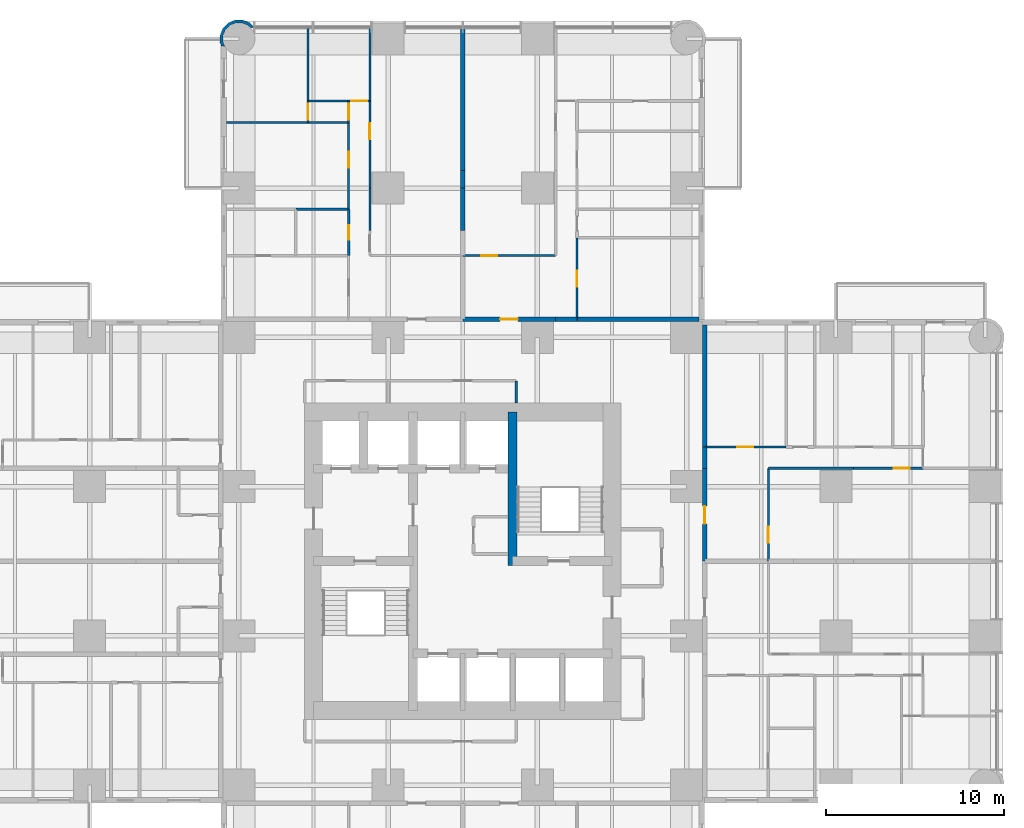
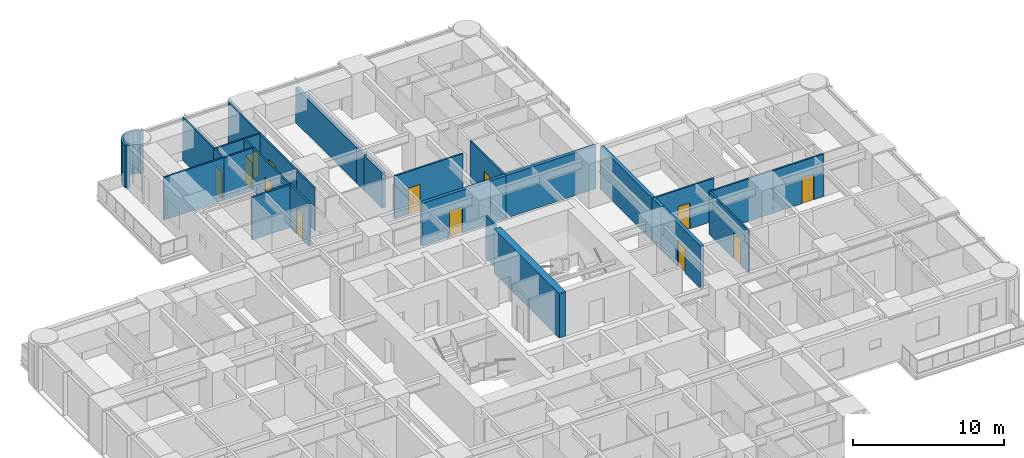
# One storey, part 13 of 17: 31 walls, 13 doors, 13 openings.
"""IFC4 building model written with IfcOpenShell, lengths in metres."""

from ifc_helpers import new_model, si_unit, direction, frame, frame_2d, origin, place, context, subcontext, project, spatial, polyline, rectangle, outline, extrude, material, layer, layer_set, type_object, element, fill, save


model = new_model("IFC4")

# Units and contexts
model_context = context("Model", 3, precision=1e-05, world=origin(), true_north=direction((0.0, 1.0)))
body_context = subcontext(model_context, "Body", "Model", "MODEL_VIEW")
ifc_project = project(units=[si_unit("LENGTHUNIT", "METRE"), si_unit("AREAUNIT", "SQUARE_METRE"), si_unit("VOLUMEUNIT", "CUBIC_METRE"), si_unit("PLANEANGLEUNIT", "RADIAN"), si_unit("MASSUNIT", "GRAM", prefix="KILO")], contexts=[model_context])

# Site, building, storey
site_placement = place(None, origin())
site = spatial("IfcSite", under=ifc_project, at=site_placement, CompositionType="ELEMENT")
building_placement = place(site_placement, origin())
building = spatial("IfcBuilding", under=site, at=building_placement, Name="Torre Alcanfor", CompositionType="ELEMENT")
storey_placement = place(building_placement, frame((0.0, 0.0, 77.699951171875)))
storey = spatial("IfcBuildingStorey", under=building, at=storey_placement, Name="L19", CompositionType="ELEMENT", Elevation=77.699951171875)

# Wall, opening, door
ifc_material_1 = material(Name="Concrete block masonry, hollow blocks NMX-C-404 9 MPa", Category="masonry")
ifc_layer_1 = layer(ifc_material_1, 0.25)
ifc_layer_set_1 = layer_set([ifc_layer_1], Name="Apartment entrance wall 250 EI 60")
wall_type_1 = type_object("IfcWallType", Name="Apartment entrance wall 250 EI 60", PredefinedType="PARTITIONING", material=ifc_layer_set_1)
wall_1_placement = place(storey_placement, frame((29.39990234375, 43.02490234375, 0.0), z_axis=(0.0, 0.0, 1.0), x_axis=(1.0, 0.0, 0.0)))
wall_1 = element("IfcWall", 1, at=wall_1_placement, inside=storey, type_object=wall_type_1, Name="Partition L19-CORR / L19-N2-ZAG", PredefinedType="PARTITIONING", context=body_context, shape_type="SweptSolid", body=[
    extrude(rectangle(XDim=5.22900390625, YDim=0.25, at=frame_2d((2.614501953125, 0.0))), origin(), (0.0, 0.0, 1.0), 3.449951171875),
])
opening_1_placement = place(wall_1_placement, frame((2.10009765625, 0.0, 0.0)))
opening_1 = element("IfcOpeningElement", 2, at=opening_1_placement, cuts=wall_1, Name="Opening D-A1", PredefinedType="OPENING", context=body_context, shape_type="SweptSolid", body=[
    extrude(rectangle(XDim=1.0, YDim=2.10009765625, at=frame_2d((0.5, 1.050048828125))), frame((0.0, 0.135009765625, 0.0), z_axis=(0.0, -1.0, 0.0), x_axis=(1.0, 0.0, 0.0)), (0.0, 0.0, 1.0), 0.27001953125),
])
ifc_material_2 = material(Name="Galvanised steel sheet ASTM A653", Category="steel")
door_type_1 = type_object("IfcDoorType", Name="Apartment entrance door FD60 1000x2100", OperationType="SINGLE_SWING_LEFT", PredefinedType="DOOR", material=ifc_material_2)
door_1_placement = place(opening_1_placement, origin())
door_1 = element("IfcDoor", 3, at=door_1_placement, inside=storey, type_object=door_type_1, Name="Apartment entrance L19-N2", OperationType="SINGLE_SWING_LEFT", OverallHeight=2.10009765625, OverallWidth=1.0, PredefinedType="DOOR", context=body_context, shape_type="SweptSolid", body=[
    extrude(rectangle(XDim=1.0, YDim=2.10009765625, at=frame_2d((0.5, 1.050048828125))), frame((0.0, 0.02490234375, 0.0), z_axis=(0.0, -1.0, 0.0), x_axis=(1.0, 0.0, 0.0)), (0.0, 0.0, 1.0), 0.050048828125),
])
fill(opening_1, door_1)

# Walls
wall_2_placement = place(storey_placement, frame((34.62890625, 43.02490234375, 0.0), z_axis=(0.0, 0.0, 1.0), x_axis=(1.0, 0.0, 0.0)))
element("IfcWall", 4, at=wall_2_placement, inside=storey, type_object=wall_type_1, Name="Partition L19-CORR / L19-N2-HALL", PredefinedType="PARTITIONING", context=body_context, shape_type="SweptSolid", body=[
    extrude(rectangle(XDim=1.2001953125, YDim=0.25, at=frame_2d((0.60009765625, 0.0))), origin(), (0.0, 0.0, 1.0), 3.449951171875),
])
wall_3_placement = place(storey_placement, frame((35.8291015625, 43.02490234375, 0.0), z_axis=(0.0, 0.0, 1.0), x_axis=(1.0, 0.0, 0.0)))
element("IfcWall", 5, at=wall_3_placement, inside=storey, type_object=wall_type_1, Name="Partition L19-CORR / L19-N2-BED3", PredefinedType="PARTITIONING", context=body_context, shape_type="SweptSolid", body=[
    extrude(rectangle(XDim=6.870849609375, YDim=0.25, at=frame_2d((3.435546875, 0.0))), origin(), (0.0, 0.0, 1.0), 3.449951171875),
])

# Wall, opening, door
wall_4_placement = place(storey_placement, frame((43.02490234375, 34.62890625, 0.0), z_axis=(0.0, 0.0, 1.0), x_axis=(0.0, -1.0, 0.0)))
wall_4 = element("IfcWall", 6, at=wall_4_placement, inside=storey, type_object=wall_type_1, Name="Partition L19-CORR / L19-E1-ZAG", PredefinedType="PARTITIONING", context=body_context, shape_type="SweptSolid", body=[
    extrude(rectangle(XDim=5.22900390625, YDim=0.25, at=frame_2d((2.614501953125, 0.0))), origin(), (0.0, 0.0, 1.0), 3.449951171875),
])
opening_2_placement = place(wall_4_placement, frame((2.12890625, 0.0, 0.0)))
opening_2 = element("IfcOpeningElement", 7, at=opening_2_placement, cuts=wall_4, Name="Opening D-A1", PredefinedType="OPENING", context=body_context, shape_type="SweptSolid", body=[
    extrude(rectangle(XDim=1.0, YDim=2.10009765625, at=frame_2d((0.5, 1.050048828125))), frame((0.0, 0.135009765625, 0.0), z_axis=(0.0, -1.0, 0.0), x_axis=(1.0, 0.0, 0.0)), (0.0, 0.0, 1.0), 0.27001953125),
])
door_2_placement = place(opening_2_placement, origin())
door_2 = element("IfcDoor", 8, at=door_2_placement, inside=storey, type_object=door_type_1, Name="Apartment entrance L19-E1", OperationType="SINGLE_SWING_RIGHT", OverallHeight=2.10009765625, OverallWidth=1.0, PredefinedType="DOOR", context=body_context, shape_type="SweptSolid", body=[
    extrude(rectangle(XDim=1.0, YDim=2.10009765625, at=frame_2d((0.5, 1.050048828125))), frame((0.0, 0.02490234375, 0.0), z_axis=(0.0, -1.0, 0.0), x_axis=(1.0, 0.0, 0.0)), (0.0, 0.0, 1.0), 0.050048828125),
])
fill(opening_2, door_2)

# Walls
wall_5_placement = place(storey_placement, frame((43.02490234375, 35.8291015625, 0.0), z_axis=(0.0, 0.0, 1.0), x_axis=(0.0, -1.0, 0.0)))
element("IfcWall", 9, at=wall_5_placement, inside=storey, type_object=wall_type_1, Name="Partition L19-CORR / L19-E1-HALL", PredefinedType="PARTITIONING", context=body_context, shape_type="SweptSolid", body=[
    extrude(rectangle(XDim=1.2001953125, YDim=0.25, at=frame_2d((0.60009765625, 0.0))), origin(), (0.0, 0.0, 1.0), 3.449951171875),
])
wall_6_placement = place(storey_placement, frame((43.02490234375, 42.699951171875, 0.0), z_axis=(0.0, 0.0, 1.0), x_axis=(0.0, -1.0, 0.0)))
element("IfcWall", 10, at=wall_6_placement, inside=storey, type_object=wall_type_1, Name="Partition L19-CORR / L19-E1-BED3", PredefinedType="PARTITIONING", context=body_context, shape_type="SweptSolid", body=[
    extrude(rectangle(XDim=6.870849609375, YDim=0.25, at=frame_2d((3.435546875, 0.0))), origin(), (0.0, 0.0, 1.0), 3.449951171875),
])
ifc_material_3 = material(Name="Gypsum board on steel studs", Category="steel")
ifc_layer_2 = layer(ifc_material_3, 0.1201171875)
ifc_layer_set_2 = layer_set([ifc_layer_2], Name="Apartment partition 120")
wall_type_2 = type_object("IfcWallType", Name="Apartment partition 120", PredefinedType="PARTITIONING", material=ifc_layer_set_2)
wall_7_placement = place(storey_placement, frame((24.1708984375, 50.39990234375, 0.0), z_axis=(0.0, 0.0, 1.0), x_axis=(0.0, -1.0, 0.0)))
element("IfcWall", 11, at=wall_7_placement, inside=storey, type_object=wall_type_2, Name="Partition L19-N1-KITCHEN / L19-N1-HALL", PredefinedType="PARTITIONING", context=body_context, shape_type="SweptSolid", body=[
    extrude(rectangle(XDim=2.39990234375, YDim=0.1201171875, at=frame_2d((1.199951171875, 0.0))), origin(), (0.0, 0.0, 1.0), 3.449951171875),
])

# Wall, opening, door
wall_8_placement = place(storey_placement, frame((24.1708984375, 55.300048828125, 0.0), z_axis=(0.0, 0.0, 1.0), x_axis=(0.0, -1.0, 0.0)))
wall_8 = element("IfcWall", 12, at=wall_8_placement, inside=storey, type_object=wall_type_2, Name="Partition L19-N1-LIVING / L19-N1-HALL", PredefinedType="PARTITIONING", context=body_context, shape_type="SweptSolid", body=[
    extrude(rectangle(XDim=4.900146484375, YDim=0.1201171875, at=frame_2d((2.4501953125, 0.0))), origin(), (0.0, 0.0, 1.0), 3.449951171875),
])
opening_3_placement = place(wall_8_placement, frame((1.25, 0.0, 0.0)))
opening_3 = element("IfcOpeningElement", 13, at=opening_3_placement, cuts=wall_8, Name="Opening D-R1", PredefinedType="OPENING", context=body_context, shape_type="SweptSolid", body=[
    extrude(rectangle(XDim=0.89990234375, YDim=2.10009765625, at=frame_2d((0.449951171875, 1.050048828125))), frame((0.0, 0.070068359375, 0.0), z_axis=(0.0, -1.0, 0.0), x_axis=(1.0, 0.0, 0.0)), (0.0, 0.0, 1.0), 0.14013671875),
])
ifc_material_4 = material(Name="Timber", Category="wood")
door_type_2 = type_object("IfcDoorType", Name="Internal door 900x2100", OperationType="SINGLE_SWING_LEFT", PredefinedType="DOOR", material=ifc_material_4)
door_3_placement = place(opening_3_placement, origin())
door_3 = element("IfcDoor", 14, at=door_3_placement, inside=storey, type_object=door_type_2, Name="Door L19-N1 living", OperationType="SINGLE_SWING_RIGHT", OverallHeight=2.10009765625, OverallWidth=0.89990234375, PredefinedType="DOOR", context=body_context, shape_type="SweptSolid", body=[
    extrude(rectangle(XDim=0.89990234375, YDim=2.10009765625, at=frame_2d((0.449951171875, 1.050048828125))), frame((0.0, 0.02490234375, 0.0), z_axis=(0.0, -1.0, 0.0), x_axis=(1.0, 0.0, 0.0)), (0.0, 0.0, 1.0), 0.050048828125),
])
fill(opening_3, door_3)

# Wall
wall_9_placement = place(storey_placement, frame((24.1708984375, 59.449951171875, 0.0), z_axis=(0.0, 0.0, 1.0), x_axis=(0.0, -1.0, 0.0)))
element("IfcWall", 15, at=wall_9_placement, inside=storey, type_object=wall_type_2, Name="Partition L19-N1-LIVING / L19-N1-BED2", PredefinedType="PARTITIONING", context=body_context, shape_type="SweptSolid", body=[
    extrude(rectangle(XDim=4.14990234375, YDim=0.1201171875, at=frame_2d((2.074951171875, 0.0))), origin(), (0.0, 0.0, 1.0), 3.449951171875),
])

# Wall, opening, door
wall_10_placement = place(storey_placement, frame((22.970947265625, 54.10009765625, 0.0), z_axis=(0.0, 0.0, 1.0), x_axis=(0.0, -1.0, 0.0)))
wall_10 = element("IfcWall", 16, at=wall_10_placement, inside=storey, type_object=wall_type_2, Name="Partition L19-N1-HALL / L19-N1-BED3", PredefinedType="PARTITIONING", context=body_context, shape_type="SweptSolid", body=[
    extrude(rectangle(XDim=4.900146484375, YDim=0.1201171875, at=frame_2d((2.4501953125, 0.0))), origin(), (0.0, 0.0, 1.0), 3.449951171875),
])
opening_4_placement = place(wall_10_placement, frame((1.64990234375, 0.0, 0.0)))
opening_4 = element("IfcOpeningElement", 17, at=opening_4_placement, cuts=wall_10, Name="Opening D-R1", PredefinedType="OPENING", context=body_context, shape_type="SweptSolid", body=[
    extrude(rectangle(XDim=0.89990234375, YDim=2.10009765625, at=frame_2d((0.449951171875, 1.050048828125))), frame((0.0, 0.070068359375, 0.0), z_axis=(0.0, -1.0, 0.0), x_axis=(1.0, 0.0, 0.0)), (0.0, 0.0, 1.0), 0.14013671875),
])
door_4_placement = place(opening_4_placement, frame((0.89990234375, 0.0, 0.0), z_axis=(0.0, 0.0, 1.0), x_axis=(-1.0, 0.0, 0.0)))
door_4 = element("IfcDoor", 18, at=door_4_placement, inside=storey, type_object=door_type_2, Name="Door L19-N1 bed3", OperationType="SINGLE_SWING_RIGHT", OverallHeight=2.10009765625, OverallWidth=0.89990234375, PredefinedType="DOOR", context=body_context, shape_type="SweptSolid", body=[
    extrude(rectangle(XDim=0.89990234375, YDim=2.10009765625, at=frame_2d((0.449951171875, 1.050048828125))), frame((0.0, 0.025146484375, 0.0), z_axis=(0.0, -1.0, 0.0), x_axis=(1.0, 0.0, 0.0)), (0.0, 0.0, 1.0), 0.050048828125),
])
fill(opening_4, door_4)

wall_11_placement = place(storey_placement, frame((22.970947265625, 55.300048828125, 0.0), z_axis=(0.0, 0.0, 1.0), x_axis=(0.0, -1.0, 0.0)))
wall_11 = element("IfcWall", 19, at=wall_11_placement, inside=storey, type_object=wall_type_2, Name="Partition L19-N1-HALL / L19-N1-VEST", PredefinedType="PARTITIONING", context=body_context, shape_type="SweptSolid", body=[
    extrude(rectangle(XDim=1.199951171875, YDim=0.1201171875, at=frame_2d((0.60009765625, 0.0))), origin(), (0.0, 0.0, 1.0), 3.449951171875),
])
opening_5_placement = place(wall_11_placement, frame((0.14990234375, 0.0, 0.0)))
opening_5 = element("IfcOpeningElement", 20, at=opening_5_placement, cuts=wall_11, Name="Opening D-R1", PredefinedType="OPENING", context=body_context, shape_type="SweptSolid", body=[
    extrude(rectangle(XDim=0.89990234375, YDim=2.10009765625, at=frame_2d((0.449951171875, 1.050048828125))), frame((0.0, 0.070068359375, 0.0), z_axis=(0.0, -1.0, 0.0), x_axis=(1.0, 0.0, 0.0)), (0.0, 0.0, 1.0), 0.14013671875),
])
door_5_placement = place(opening_5_placement, frame((0.89990234375, 0.0, 0.0), z_axis=(0.0, 0.0, 1.0), x_axis=(-1.0, 0.0, 0.0)))
door_5 = element("IfcDoor", 21, at=door_5_placement, inside=storey, type_object=door_type_2, Name="Door L19-N1 vest", OperationType="SINGLE_SWING_RIGHT", OverallHeight=2.10009765625, OverallWidth=0.89990234375, PredefinedType="DOOR", context=body_context, shape_type="SweptSolid", body=[
    extrude(rectangle(XDim=0.89990234375, YDim=2.10009765625, at=frame_2d((0.449951171875, 1.050048828125))), frame((0.0, 0.025146484375, 0.0), z_axis=(0.0, -1.0, 0.0), x_axis=(1.0, 0.0, 0.0)), (0.0, 0.0, 1.0), 0.050048828125),
])
fill(opening_5, door_5)

wall_12_placement = place(storey_placement, frame((24.1708984375, 55.300048828125, 0.0), z_axis=(0.0, 0.0, 1.0), x_axis=(-1.0, 0.0, 0.0)))
wall_12 = element("IfcWall", 22, at=wall_12_placement, inside=storey, type_object=wall_type_2, Name="Partition L19-N1-HALL / L19-N1-BED2", PredefinedType="PARTITIONING", context=body_context, shape_type="SweptSolid", body=[
    extrude(rectangle(XDim=1.199951171875, YDim=0.1201171875, at=frame_2d((0.60009765625, 0.0))), origin(), (0.0, 0.0, 1.0), 3.449951171875),
])
opening_6_placement = place(wall_12_placement, frame((0.15087890625, 0.0, 0.0)))
opening_6 = element("IfcOpeningElement", 23, at=opening_6_placement, cuts=wall_12, Name="Opening D-R1", PredefinedType="OPENING", context=body_context, shape_type="SweptSolid", body=[
    extrude(rectangle(XDim=0.89990234375, YDim=2.10009765625, at=frame_2d((0.449951171875, 1.050048828125))), frame((0.0, 0.070068359375, 0.0), z_axis=(0.0, -1.0, 0.0), x_axis=(1.0, 0.0, 0.0)), (0.0, 0.0, 1.0), 0.14013671875),
])
door_6_placement = place(opening_6_placement, frame((0.89990234375, 0.0, 0.0), z_axis=(0.0, 0.0, 1.0), x_axis=(-1.0, 0.0, 0.0)))
door_6 = element("IfcDoor", 24, at=door_6_placement, inside=storey, type_object=door_type_2, Name="Door L19-N1 bed2", OperationType="SINGLE_SWING_RIGHT", OverallHeight=2.10009765625, OverallWidth=0.89990234375, PredefinedType="DOOR", context=body_context, shape_type="SweptSolid", body=[
    extrude(rectangle(XDim=0.89990234375, YDim=2.10009765625, at=frame_2d((0.449951171875, 1.050048828125))), frame((0.0, 0.025146484375, 0.0), z_axis=(0.0, -1.0, 0.0), x_axis=(1.0, 0.0, 0.0)), (0.0, 0.0, 1.0), 0.050048828125),
])
fill(opening_6, door_6)

# Walls
wall_13_placement = place(storey_placement, frame((22.970947265625, 54.10009765625, 0.0), z_axis=(0.0, 0.0, 1.0), x_axis=(-1.0, 0.0, 0.0)))
element("IfcWall", 25, at=wall_13_placement, inside=storey, type_object=wall_type_2, Name="Partition L19-N1-BED3 / L19-N1-VEST", PredefinedType="PARTITIONING", context=body_context, shape_type="SweptSolid", body=[
    extrude(rectangle(XDim=2.284912109375, YDim=0.1201171875, at=frame_2d((1.142578125, 0.0))), origin(), (0.0, 0.0, 1.0), 3.449951171875),
])
wall_14_placement = place(storey_placement, frame((20.68603515625, 54.10009765625, 0.0), z_axis=(0.0, 0.0, 1.0), x_axis=(-1.0, 0.0, 0.0)))
element("IfcWall", 26, at=wall_14_placement, inside=storey, type_object=wall_type_2, Name="Partition L19-N1-BED3 / L19-N1-MASTER", PredefinedType="PARTITIONING", context=body_context, shape_type="SweptSolid", body=[
    extrude(rectangle(XDim=4.5859375, YDim=0.1201171875, at=frame_2d((2.29296875, 0.0))), origin(), (0.0, 0.0, 1.0), 3.449951171875),
])
wall_15_placement = place(storey_placement, frame((22.970947265625, 55.300048828125, 0.0), z_axis=(0.0, 0.0, 1.0), x_axis=(-1.0, 0.0, 0.0)))
element("IfcWall", 27, at=wall_15_placement, inside=storey, type_object=wall_type_2, Name="Partition L19-N1-VEST / L19-N1-BED2", PredefinedType="PARTITIONING", context=body_context, shape_type="SweptSolid", body=[
    extrude(rectangle(XDim=2.284912109375, YDim=0.1201171875, at=frame_2d((1.142578125, 0.0))), origin(), (0.0, 0.0, 1.0), 3.449951171875),
])

# Wall, opening, door
wall_16_placement = place(storey_placement, frame((20.68603515625, 55.300048828125, 0.0), z_axis=(0.0, 0.0, 1.0), x_axis=(0.0, -1.0, 0.0)))
wall_16 = element("IfcWall", 28, at=wall_16_placement, inside=storey, type_object=wall_type_2, Name="Partition L19-N1-VEST / L19-N1-MASTER", PredefinedType="PARTITIONING", context=body_context, shape_type="SweptSolid", body=[
    extrude(rectangle(XDim=1.199951171875, YDim=0.1201171875, at=frame_2d((0.60009765625, 0.0))), origin(), (0.0, 0.0, 1.0), 3.449951171875),
])
opening_7_placement = place(wall_16_placement, frame((0.14990234375, 0.0, 0.0)))
opening_7 = element("IfcOpeningElement", 29, at=opening_7_placement, cuts=wall_16, Name="Opening D-R1", PredefinedType="OPENING", context=body_context, shape_type="SweptSolid", body=[
    extrude(rectangle(XDim=0.89990234375, YDim=2.10009765625, at=frame_2d((0.449951171875, 1.050048828125))), frame((0.0, 0.070068359375, 0.0), z_axis=(0.0, -1.0, 0.0), x_axis=(1.0, 0.0, 0.0)), (0.0, 0.0, 1.0), 0.14013671875),
])
door_7_placement = place(opening_7_placement, origin())
door_7 = element("IfcDoor", 30, at=door_7_placement, inside=storey, type_object=door_type_2, Name="Door L19-N1 master", OperationType="SINGLE_SWING_LEFT", OverallHeight=2.10009765625, OverallWidth=0.89990234375, PredefinedType="DOOR", context=body_context, shape_type="SweptSolid", body=[
    extrude(rectangle(XDim=0.89990234375, YDim=2.10009765625, at=frame_2d((0.449951171875, 1.050048828125))), frame((0.0, 0.02490234375, 0.0), z_axis=(0.0, -1.0, 0.0), x_axis=(1.0, 0.0, 0.0)), (0.0, 0.0, 1.0), 0.050048828125),
])
fill(opening_7, door_7)

# Wall
wall_17_placement = place(storey_placement, frame((20.68603515625, 59.449951171875, 0.0), z_axis=(0.0, 0.0, 1.0), x_axis=(0.0, -1.0, 0.0)))
element("IfcWall", 31, at=wall_17_placement, inside=storey, type_object=wall_type_2, Name="Partition L19-N1-BED2 / L19-N1-MASTER", PredefinedType="PARTITIONING", context=body_context, shape_type="SweptSolid", body=[
    extrude(rectangle(XDim=4.14990234375, YDim=0.1201171875, at=frame_2d((2.074951171875, 0.0))), origin(), (0.0, 0.0, 1.0), 3.449951171875),
])

# Wall, opening, door
wall_18_placement = place(storey_placement, frame((29.39990234375, 46.60009765625, 0.0), z_axis=(0.0, 0.0, 1.0), x_axis=(1.0, 0.0, 0.0)))
wall_18 = element("IfcWall", 32, at=wall_18_placement, inside=storey, type_object=wall_type_2, Name="Partition L19-N2-ZAG / L19-N2-KITCHEN", PredefinedType="PARTITIONING", context=body_context, shape_type="SweptSolid", body=[
    extrude(rectangle(XDim=5.22900390625, YDim=0.1201171875, at=frame_2d((2.614501953125, 0.0))), origin(), (0.0, 0.0, 1.0), 3.449951171875),
])
opening_8_placement = place(wall_18_placement, frame((1.050048828125, 0.0, 0.0)))
opening_8 = element("IfcOpeningElement", 33, at=opening_8_placement, cuts=wall_18, Name="Opening D-R1", PredefinedType="OPENING", context=body_context, shape_type="SweptSolid", body=[
    extrude(rectangle(XDim=0.89990234375, YDim=2.10009765625, at=frame_2d((0.449951171875, 1.050048828125))), frame((0.0, 0.070068359375, 0.0), z_axis=(0.0, -1.0, 0.0), x_axis=(1.0, 0.0, 0.0)), (0.0, 0.0, 1.0), 0.14013671875),
])
door_8_placement = place(opening_8_placement, origin())
door_8 = element("IfcDoor", 34, at=door_8_placement, inside=storey, type_object=door_type_2, Name="Door L19-N2 kitchen", OperationType="SINGLE_SWING_LEFT", OverallHeight=2.10009765625, OverallWidth=0.89990234375, PredefinedType="DOOR", context=body_context, shape_type="SweptSolid", body=[
    extrude(rectangle(XDim=0.89990234375, YDim=2.10009765625, at=frame_2d((0.449951171875, 1.050048828125))), frame((0.0, 0.02490234375, 0.0), z_axis=(0.0, -1.0, 0.0), x_axis=(1.0, 0.0, 0.0)), (0.0, 0.0, 1.0), 0.050048828125),
])
fill(opening_8, door_8)

wall_19_placement = place(storey_placement, frame((35.8291015625, 47.60009765625, 0.0), z_axis=(0.0, 0.0, 1.0), x_axis=(0.0, -1.0, 0.0)))
wall_19 = element("IfcWall", 35, at=wall_19_placement, inside=storey, type_object=wall_type_2, Name="Partition L19-N2-HALL / L19-N2-BED3", PredefinedType="PARTITIONING", context=body_context, shape_type="SweptSolid", body=[
    extrude(rectangle(XDim=4.5751953125, YDim=0.1201171875, at=frame_2d((2.28759765625, 0.0))), origin(), (0.0, 0.0, 1.0), 3.449951171875),
])
opening_9_placement = place(wall_19_placement, frame((1.85009765625, 0.0, 0.0)))
opening_9 = element("IfcOpeningElement", 36, at=opening_9_placement, cuts=wall_19, Name="Opening D-R1", PredefinedType="OPENING", context=body_context, shape_type="SweptSolid", body=[
    extrude(rectangle(XDim=0.89990234375, YDim=2.10009765625, at=frame_2d((0.449951171875, 1.050048828125))), frame((0.0, 0.070068359375, 0.0), z_axis=(0.0, -1.0, 0.0), x_axis=(1.0, 0.0, 0.0)), (0.0, 0.0, 1.0), 0.14013671875),
])
door_9_placement = place(opening_9_placement, origin())
door_9 = element("IfcDoor", 37, at=door_9_placement, inside=storey, type_object=door_type_2, Name="Door L19-N2 bed3", OperationType="SINGLE_SWING_RIGHT", OverallHeight=2.10009765625, OverallWidth=0.89990234375, PredefinedType="DOOR", context=body_context, shape_type="SweptSolid", body=[
    extrude(rectangle(XDim=0.89990234375, YDim=2.10009765625, at=frame_2d((0.449951171875, 1.050048828125))), frame((0.0, 0.02490234375, 0.0), z_axis=(0.0, -1.0, 0.0), x_axis=(1.0, 0.0, 0.0)), (0.0, 0.0, 1.0), 0.050048828125),
])
fill(opening_9, door_9)

wall_20_placement = place(storey_placement, frame((46.60009765625, 29.39990234375, 0.0), z_axis=(0.0, 0.0, 1.0), x_axis=(0.0, 1.0, 0.0)))
wall_20 = element("IfcWall", 38, at=wall_20_placement, inside=storey, type_object=wall_type_2, Name="Partition L19-E1-ZAG / L19-E1-KITCHEN", PredefinedType="PARTITIONING", context=body_context, shape_type="SweptSolid", body=[
    extrude(rectangle(XDim=5.22900390625, YDim=0.1201171875, at=frame_2d((2.614501953125, 0.0))), origin(), (0.0, 0.0, 1.0), 3.449951171875),
])
opening_10_placement = place(wall_20_placement, frame((1.050048828125, 0.0, 0.0)))
opening_10 = element("IfcOpeningElement", 39, at=opening_10_placement, cuts=wall_20, Name="Opening D-R1", PredefinedType="OPENING", context=body_context, shape_type="SweptSolid", body=[
    extrude(rectangle(XDim=0.89990234375, YDim=2.10009765625, at=frame_2d((0.449951171875, 1.050048828125))), frame((0.0, 0.070068359375, 0.0), z_axis=(0.0, -1.0, 0.0), x_axis=(1.0, 0.0, 0.0)), (0.0, 0.0, 1.0), 0.14013671875),
])
door_10_placement = place(opening_10_placement, frame((0.89990234375, 0.0, 0.0), z_axis=(0.0, 0.0, 1.0), x_axis=(-1.0, 0.0, 0.0)))
door_10 = element("IfcDoor", 40, at=door_10_placement, inside=storey, type_object=door_type_2, Name="Door L19-E1 kitchen", OperationType="SINGLE_SWING_RIGHT", OverallHeight=2.10009765625, OverallWidth=0.89990234375, PredefinedType="DOOR", context=body_context, shape_type="SweptSolid", body=[
    extrude(rectangle(XDim=0.89990234375, YDim=2.10009765625, at=frame_2d((0.449951171875, 1.050048828125))), frame((0.0, 0.025146484375, 0.0), z_axis=(0.0, -1.0, 0.0), x_axis=(1.0, 0.0, 0.0)), (0.0, 0.0, 1.0), 0.050048828125),
])
fill(opening_10, door_10)

# Wall
wall_21_placement = place(storey_placement, frame((51.39990234375, 34.62890625, 0.0), z_axis=(0.0, 0.0, 1.0), x_axis=(-1.0, 0.0, 0.0)))
element("IfcWall", 41, at=wall_21_placement, inside=storey, type_object=wall_type_2, Name="Partition L19-E1-KITCHEN / L19-E1-HALL", PredefinedType="PARTITIONING", context=body_context, shape_type="SweptSolid", body=[
    extrude(rectangle(XDim=4.7998046875, YDim=0.1201171875, at=frame_2d((2.39990234375, 0.0))), origin(), (0.0, 0.0, 1.0), 3.449951171875),
])

# Wall, opening, door
wall_22_placement = place(storey_placement, frame((55.300048828125, 34.62890625, 0.0), z_axis=(0.0, 0.0, 1.0), x_axis=(-1.0, 0.0, 0.0)))
wall_22 = element("IfcWall", 42, at=wall_22_placement, inside=storey, type_object=wall_type_2, Name="Partition L19-E1-LIVING / L19-E1-HALL", PredefinedType="PARTITIONING", context=body_context, shape_type="SweptSolid", body=[
    extrude(rectangle(XDim=3.900146484375, YDim=0.1201171875, at=frame_2d((1.9501953125, 0.0))), origin(), (0.0, 0.0, 1.0), 3.449951171875),
])
opening_11_placement = place(wall_22_placement, frame((0.75, 0.0, 0.0)))
opening_11 = element("IfcOpeningElement", 43, at=opening_11_placement, cuts=wall_22, Name="Opening D-R1", PredefinedType="OPENING", context=body_context, shape_type="SweptSolid", body=[
    extrude(rectangle(XDim=0.89990234375, YDim=2.10009765625, at=frame_2d((0.449951171875, 1.050048828125))), frame((0.0, 0.070068359375, 0.0), z_axis=(0.0, -1.0, 0.0), x_axis=(1.0, 0.0, 0.0)), (0.0, 0.0, 1.0), 0.14013671875),
])
door_11_placement = place(opening_11_placement, origin())
door_11 = element("IfcDoor", 44, at=door_11_placement, inside=storey, type_object=door_type_2, Name="Door L19-E1 living", OperationType="SINGLE_SWING_RIGHT", OverallHeight=2.10009765625, OverallWidth=0.89990234375, PredefinedType="DOOR", context=body_context, shape_type="SweptSolid", body=[
    extrude(rectangle(XDim=0.89990234375, YDim=2.10009765625, at=frame_2d((0.449951171875, 1.050048828125))), frame((0.0, 0.02490234375, 0.0), z_axis=(0.0, -1.0, 0.0), x_axis=(1.0, 0.0, 0.0)), (0.0, 0.0, 1.0), 0.050048828125),
])
fill(opening_11, door_11)

wall_23_placement = place(storey_placement, frame((47.60009765625, 35.8291015625, 0.0), z_axis=(0.0, 0.0, 1.0), x_axis=(-1.0, 0.0, 0.0)))
wall_23 = element("IfcWall", 45, at=wall_23_placement, inside=storey, type_object=wall_type_2, Name="Partition L19-E1-HALL / L19-E1-BED3", PredefinedType="PARTITIONING", context=body_context, shape_type="SweptSolid", body=[
    extrude(rectangle(XDim=4.5751953125, YDim=0.1201171875, at=frame_2d((2.28759765625, 0.0))), origin(), (0.0, 0.0, 1.0), 3.449951171875),
])
opening_12_placement = place(wall_23_placement, frame((1.85009765625, 0.0, 0.0)))
opening_12 = element("IfcOpeningElement", 46, at=opening_12_placement, cuts=wall_23, Name="Opening D-R1", PredefinedType="OPENING", context=body_context, shape_type="SweptSolid", body=[
    extrude(rectangle(XDim=0.89990234375, YDim=2.10009765625, at=frame_2d((0.449951171875, 1.050048828125))), frame((0.0, 0.070068359375, 0.0), z_axis=(0.0, -1.0, 0.0), x_axis=(1.0, 0.0, 0.0)), (0.0, 0.0, 1.0), 0.14013671875),
])
door_12_placement = place(opening_12_placement, frame((0.89990234375, 0.0, 0.0), z_axis=(0.0, 0.0, 1.0), x_axis=(-1.0, 0.0, 0.0)))
door_12 = element("IfcDoor", 47, at=door_12_placement, inside=storey, type_object=door_type_2, Name="Door L19-E1 bed3", OperationType="SINGLE_SWING_LEFT", OverallHeight=2.10009765625, OverallWidth=0.89990234375, PredefinedType="DOOR", context=body_context, shape_type="SweptSolid", body=[
    extrude(rectangle(XDim=0.89990234375, YDim=2.10009765625, at=frame_2d((0.449951171875, 1.050048828125))), frame((0.0, 0.025146484375, 0.0), z_axis=(0.0, -1.0, 0.0), x_axis=(1.0, 0.0, 0.0)), (0.0, 0.0, 1.0), 0.050048828125),
])
fill(opening_12, door_12)

# Walls
ifc_material_5 = material(Name="Concrete f'c 70 MPa", Category="concrete")
ifc_layer_3 = layer(ifc_material_5, 0.5)
ifc_layer_set_3 = layer_set([ifc_layer_3], Name="Core inner wall 500 f'c70")
wall_type_3 = type_object("IfcWallType", Name="Core inner wall 500 f'c70", PredefinedType="SHEAR", material=ifc_layer_set_3)
wall_24_placement = place(storey_placement, frame((32.199951171875, 29.14990234375, 0.0), z_axis=(0.0, 0.0, 1.0), x_axis=(0.0, 1.0, 0.0)))
element("IfcWall", 48, at=wall_24_placement, inside=storey, type_object=wall_type_3, Name="Core wall X322N L19", PredefinedType="SHEAR", context=body_context, shape_type="SweptSolid", body=[
    extrude(rectangle(XDim=8.650146484375, YDim=0.5, at=frame_2d((4.3251953125, 0.0))), origin(), (0.0, 0.0, 1.0), 3.60009765625),
])
ifc_material_6 = material(Name="Concrete block masonry, hollow blocks NMX-C-404 9 MPa", Category="masonry")
ifc_layer_4 = layer(ifc_material_6, 0.25)
ifc_layer_set_4 = layer_set([ifc_layer_4], Name="Party wall 250 EI 60")
wall_type_4 = type_object("IfcWallType", Name="Party wall 250 EI 60", PredefinedType="PARTITIONING", material=ifc_layer_set_4)
wall_25_placement = place(storey_placement, frame((29.39990234375, 48.0, 0.0), z_axis=(0.0, 0.0, 1.0), x_axis=(0.0, 1.0, 0.0)))
element("IfcWall", 49, at=wall_25_placement, inside=storey, type_object=wall_type_4, Name="Partition L19-N1-KITCHEN / L19-N2-KITCHEN", PredefinedType="PARTITIONING", context=body_context, shape_type="SweptSolid", body=[
    extrude(rectangle(XDim=2.39990234375, YDim=0.25, at=frame_2d((1.199951171875, 0.0))), origin(), (0.0, 0.0, 1.0), 2.84814453125),
])
wall_26_placement = place(storey_placement, frame((29.39990234375, 50.39990234375, 0.0), z_axis=(0.0, 0.0, 1.0), x_axis=(0.0, 1.0, 0.0)))
element("IfcWall", 50, at=wall_26_placement, inside=storey, type_object=wall_type_4, Name="Partition L19-N1-LIVING / L19-N2-KITCHEN", PredefinedType="PARTITIONING", context=body_context, shape_type="SweptSolid", body=[
    extrude(rectangle(XDim=1.0, YDim=0.25, at=frame_2d((0.5, 0.0))), origin(), (0.0, 0.0, 1.0), 2.84814453125),
])
wall_27_placement = place(storey_placement, frame((29.39990234375, 51.39990234375, 0.0), z_axis=(0.0, 0.0, 1.0), x_axis=(0.0, 1.0, 0.0)))
element("IfcWall", 51, at=wall_27_placement, inside=storey, type_object=wall_type_4, Name="Partition L19-N1-LIVING / L19-N2-LIVING", PredefinedType="PARTITIONING", context=body_context, shape_type="SweptSolid", body=[
    extrude(rectangle(XDim=8.050048828125, YDim=0.25, at=frame_2d((4.02490234375, 0.0))), origin(), (0.0, 0.0, 1.0), 2.84814453125),
])
ifc_material_7 = material(Name="Concrete block masonry, hollow blocks NMX-C-404 9 MPa", Category="masonry")
ifc_layer_5 = layer(ifc_material_7, 0.14990234375)
ifc_layer_set_5 = layer_set([ifc_layer_5], Name="Residents' room partition 150")
wall_type_5 = type_object("IfcWallType", Name="Residents' room partition 150", PredefinedType="PARTITIONING", material=ifc_layer_set_5)
wall_28_placement = place(storey_placement, frame((32.39990234375, 38.300048828125, 0.0), z_axis=(0.0, 0.0, 1.0), x_axis=(0.0, 1.0, 0.0)))
element("IfcWall", 52, at=wall_28_placement, inside=storey, type_object=wall_type_5, Name="Partition L19-CORR / L19-G02", PredefinedType="PARTITIONING", context=body_context, shape_type="SweptSolid", body=[
    extrude(rectangle(XDim=1.25, YDim=0.14990234375, at=frame_2d((0.625, 0.0))), origin(), (0.0, 0.0, 1.0), 3.449951171875),
])
ifc_material_8 = material(Name="Limestone cladding", Category="masonry")
ifc_layer_6 = layer(ifc_material_8, 0.0400390625, Name="Facing")
ifc_material_9 = material(Name="Ventilated air cavity")
ifc_layer_7 = layer(ifc_material_9, 0.02001953125, ventilated=True, Name="Ventilated joint")
ifc_material_10 = material(Name="Mineral wool insulation", Category="insulation")
ifc_layer_8 = layer(ifc_material_10, 0.10009765625, Name="Insulation")
ifc_material_11 = material(Name="Concrete f'c 35 MPa", Category="concrete")
ifc_layer_9 = layer(ifc_material_11, 0.139892578125, Name="Backing")
ifc_layer_set_6 = layer_set([ifc_layer_6, ifc_layer_7, ifc_layer_8, ifc_layer_9], Name="Rounded corner pier stone-clad 300")
wall_type_6 = type_object("IfcWallType", Name="Rounded corner pier stone-clad 300", PredefinedType="SOLIDWALL", material=ifc_layer_set_6)
wall_29_placement = place(storey_placement, frame((17.56659392, 59.410519256, 0.0), z_axis=(0.0, 0.0, 1.0), x_axis=(-0.377204953059, 0.926129809145, 0.0)))
element("IfcWall", 53, at=wall_29_placement, inside=storey, type_object=wall_type_6, Name="Corner pier L19 20", PredefinedType="SOLIDWALL", context=body_context, shape_type="SweptSolid", body=[
    extrude(outline(polyline([(-0.2696128896034876, 2.017259773730947), (-0.3700074466497617, 1.8406682313445892), (-0.10228391712117135, 1.84234447704578), (0.22963955939869596, 1.7071548112521016), (0.48448400216769655, 1.4552078217286728), (0.623591424193435, 1.1249193736895309), (0.6256953869469392, 0.7663384814459974), (0.4905057211532608, 0.43441500492612994), (0.23855873162983204, 0.17957056215712927), (0.0901868556189969, 0.11689353267829827), (0.010896458992050665, -0.07778365620699182), (0.024462813618203284, -0.08330911938656994), (0.3293875956360306, 0.04530321995417183), (0.4799529344667901, 0.19750641360159463), (0.4990544088845829, 0.19262629437695172), (0.507600976756774, 0.22526044306054033), (0.6260470289213595, 0.34520397592848606), (0.7850882774402169, 0.7356888832512456), (0.7822913942554518, 1.1572920874778148), (0.618751344370654, 1.5460366857348715), (0.3187584973433468, 1.8424700131097647), (-0.07172640997941271, 2.0015112616286217), (-0.24006791291721008, 2.0004813020300714), (-0.2696128896034876, 2.017259773730947)])), origin(), (0.0, 0.0, 1.0), 3.449951171875),
])

# Wall, opening, door
ifc_material_12 = material(Name="Cement board on steel studs", Category="steel")
ifc_layer_10 = layer(ifc_material_12, 0.14990234375)
ifc_layer_set_7 = layer_set([ifc_layer_10], Name="Wet area partition 150")
wall_type_7 = type_object("IfcWallType", Name="Wet area partition 150", PredefinedType="PARTITIONING", material=ifc_layer_set_7)
wall_30_placement = place(storey_placement, frame((22.970947265625, 49.199951171875, 0.0), z_axis=(0.0, 0.0, 1.0), x_axis=(0.0, -1.0, 0.0)))
wall_30 = element("IfcWall", 54, at=wall_30_placement, inside=storey, type_object=wall_type_7, Name="Partition L19-N1-HALL / L19-N1-BATH1", PredefinedType="PARTITIONING", context=body_context, shape_type="SweptSolid", body=[
    extrude(rectangle(XDim=2.599853515625, YDim=0.14990234375, at=frame_2d((1.2998046875, 0.0))), origin(), (0.0, 0.0, 1.0), 3.449951171875),
])
opening_13_placement = place(wall_30_placement, frame((0.89990234375, 0.0, 0.0)))
opening_13 = element("IfcOpeningElement", 55, at=opening_13_placement, cuts=wall_30, Name="Opening D-R2", PredefinedType="OPENING", context=body_context, shape_type="SweptSolid", body=[
    extrude(rectangle(XDim=0.800048828125, YDim=2.10009765625, at=frame_2d((0.39990234375, 1.050048828125))), frame((0.0, 0.0849609375, 0.0), z_axis=(0.0, -1.0, 0.0), x_axis=(1.0, 0.0, 0.0)), (0.0, 0.0, 1.0), 0.169921875),
])
ifc_material_13 = material(Name="Timber", Category="wood")
door_type_3 = type_object("IfcDoorType", Name="Bathroom door 800x2100", OperationType="SINGLE_SWING_LEFT", PredefinedType="DOOR", material=ifc_material_13)
door_13_placement = place(opening_13_placement, frame((0.800048828125, 0.0, 0.0), z_axis=(0.0, 0.0, 1.0), x_axis=(-1.0, 0.0, 0.0)))
door_13 = element("IfcDoor", 56, at=door_13_placement, inside=storey, type_object=door_type_3, Name="Door L19-N1 bath1", OperationType="SINGLE_SWING_RIGHT", OverallHeight=2.10009765625, OverallWidth=0.800048828125, PredefinedType="DOOR", context=body_context, shape_type="SweptSolid", body=[
    extrude(rectangle(XDim=0.800048828125, YDim=2.10009765625, at=frame_2d((0.400146484375, 1.050048828125))), frame((0.0, 0.025146484375, 0.0), z_axis=(0.0, -1.0, 0.0), x_axis=(1.0, 0.0, 0.0)), (0.0, 0.0, 1.0), 0.050048828125),
])
fill(opening_13, door_13)

# Wall
wall_31_placement = place(storey_placement, frame((22.970947265625, 49.199951171875, 0.0), z_axis=(0.0, 0.0, 1.0), x_axis=(-1.0, 0.0, 0.0)))
element("IfcWall", 57, at=wall_31_placement, inside=storey, type_object=wall_type_7, Name="Partition L19-N1-BATH1 / L19-N1-BED3", PredefinedType="PARTITIONING", context=body_context, shape_type="SweptSolid", body=[
    extrude(rectangle(XDim=2.970947265625, YDim=0.14990234375, at=frame_2d((1.4853515625, 0.0))), origin(), (0.0, 0.0, 1.0), 3.449951171875),
])

save(model, "model.ifc")
